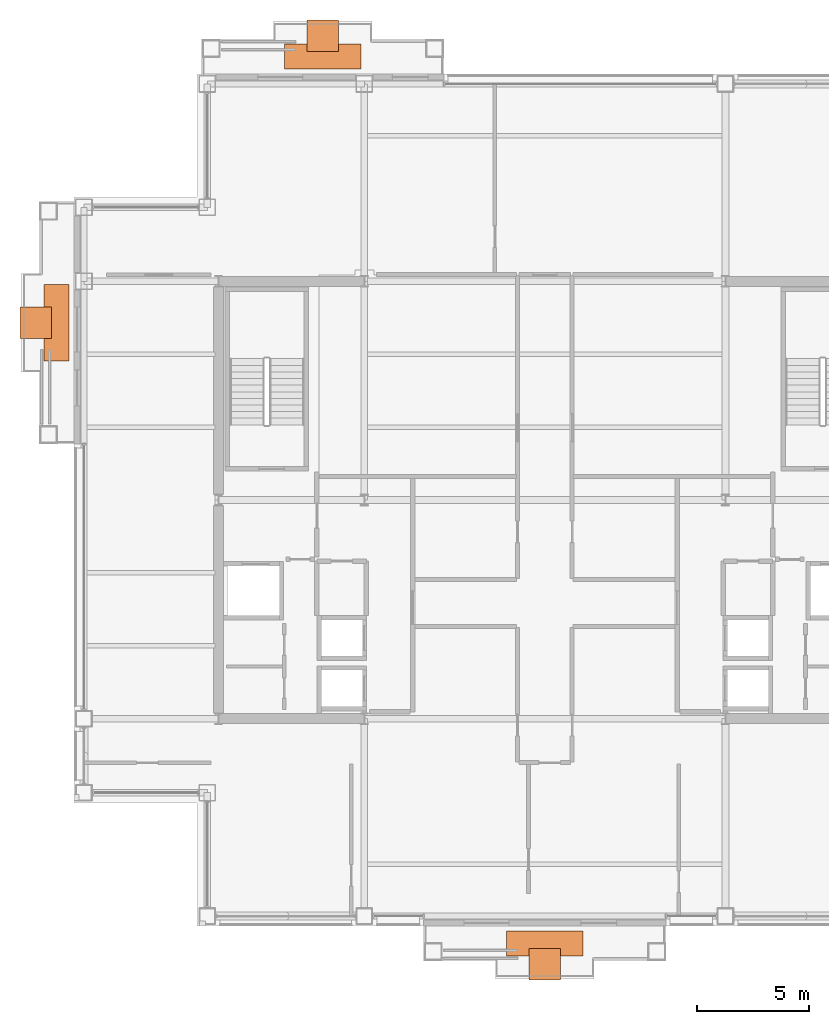
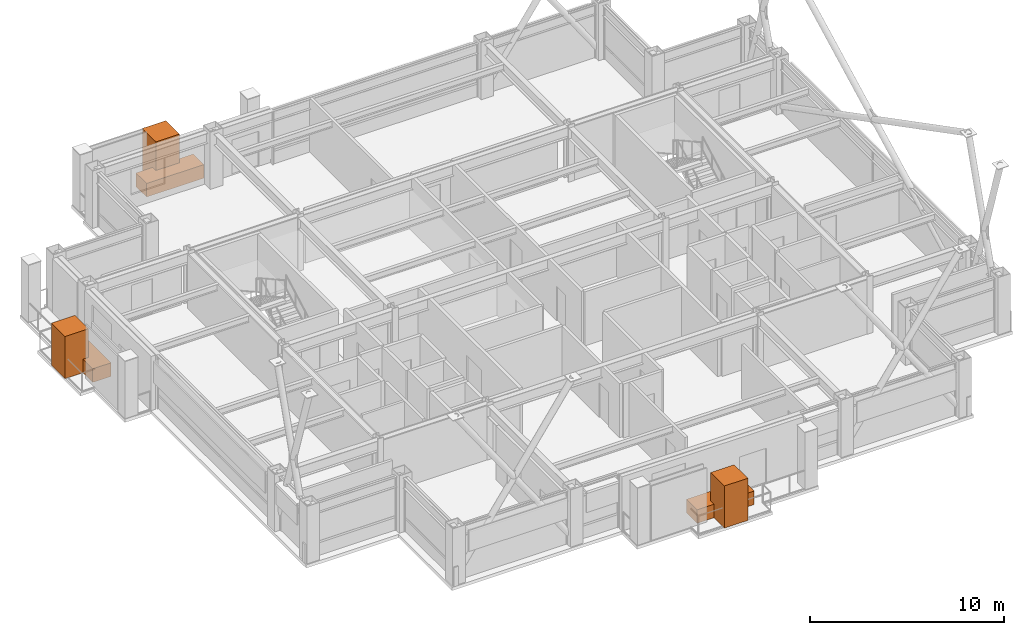
# One storey, part 32 of 32: 6 proxies.
"""IFC4 building model written with IfcOpenShell, lengths in metres."""

from ifc_helpers import new_model, si_unit, direction, frame, origin, origin_2d, place, context, subcontext, project, spatial, rectangle, extrude, material, type_object, element, save


model = new_model("IFC4")

# Units and contexts
model_context = context("Model", 3, precision=1e-05, world=origin(), true_north=direction((0.0, 1.0)))
body_context = subcontext(model_context, "Body", "Model", "MODEL_VIEW")
ifc_project = project(units=[si_unit("LENGTHUNIT", "METRE"), si_unit("AREAUNIT", "SQUARE_METRE"), si_unit("VOLUMEUNIT", "CUBIC_METRE"), si_unit("PLANEANGLEUNIT", "RADIAN"), si_unit("MASSUNIT", "GRAM", prefix="KILO")], contexts=[model_context])

# Site, building, storey
site_placement = place(None, origin())
site = spatial("IfcSite", under=ifc_project, at=site_placement, CompositionType="ELEMENT")
building_placement = place(site_placement, origin())
building = spatial("IfcBuilding", under=site, at=building_placement, Name="Brelmoor Portico Tower", CompositionType="ELEMENT")
storey_placement = place(building_placement, frame((0.0, 0.0, 162.300048828125)))
storey = spatial("IfcBuildingStorey", under=building, at=storey_placement, Name="L42", CompositionType="ELEMENT", Elevation=162.300048828125)

# Proxies
ifc_material_1 = material(Name="Planted Canopy Tree and Soil Rootball", Category="other")
building_element_proxy_type_1 = type_object("IfcBuildingElementProxyType", Name="BALCONY TREE ARBOR", PredefinedType="USERDEFINED", material=ifc_material_1)
for number, where, z_axis, x_axis, name in (
    (1, (0.0, -20.699951171875, 0.0), (0.0, 0.0, 1.0), (1.0, 0.0, 0.0), "L42 Balcony PLANTER Tree Canopy Arbor S"),
    (2, (-9.89990234375, 20.699951171875, 0.0), (0.0, 0.0, 1.0), (1.0, 0.0, 0.0), "L42 Balcony PLANTER Tree Canopy Arbor N"),
    (3, (-22.699951171875, 7.89990234375, 0.0), (0.0, 0.0, 1.0), (1.0, 0.0, 0.0), "L42 Balcony PLANTER Tree Canopy Arbor W"),
):
    element("IfcBuildingElementProxy", number, at=place(storey_placement, frame(where, z_axis=z_axis, x_axis=x_axis)), inside=storey, type_object=building_element_proxy_type_1, Name=name, ObjectType="PLANTER", PredefinedType="USERDEFINED", context=body_context, shape_type="SweptSolid", body=[
        extrude(rectangle(XDim=1.39990234375, YDim=1.39990234375, at=origin_2d()), origin(), (0.0, 0.0, 1.0), 2.64990234375),
    ])
ifc_material_2 = material(Name="Architectural Precast Concrete C40", Category="concrete")
building_element_proxy_type_2 = type_object("IfcBuildingElementProxyType", Name="TREE PLANTER", PredefinedType="USERDEFINED", material=ifc_material_2)
for number, where, z_axis, x_axis, name in (
    (4, (0.0, -19.77490234375, 0.0), (0.0, 0.0, 1.0), (1.0, 0.0, 0.0), "L42 Planted Tree Planter S"),
    (5, (-9.89990234375, 19.77490234375, 0.0), (0.0, 0.0, 1.0), (1.0, 0.0, 0.0), "L42 Planted Tree Planter N"),
    (6, (-21.77490234375, 7.89990234375, 0.0), (0.0, 0.0, 1.0), (0.0, 1.0, 0.0), "L42 Planted Tree Planter W"),
):
    element("IfcBuildingElementProxy", number, at=place(storey_placement, frame(where, z_axis=z_axis, x_axis=x_axis)), inside=storey, type_object=building_element_proxy_type_2, Name=name, ObjectType="PLANTER", PredefinedType="USERDEFINED", context=body_context, shape_type="SweptSolid", body=[
        extrude(rectangle(XDim=3.39990234375, YDim=1.10009765625, at=origin_2d()), origin(), (0.0, 0.0, 1.0), 0.85009765625),
    ])

save(model, "model.ifc")
